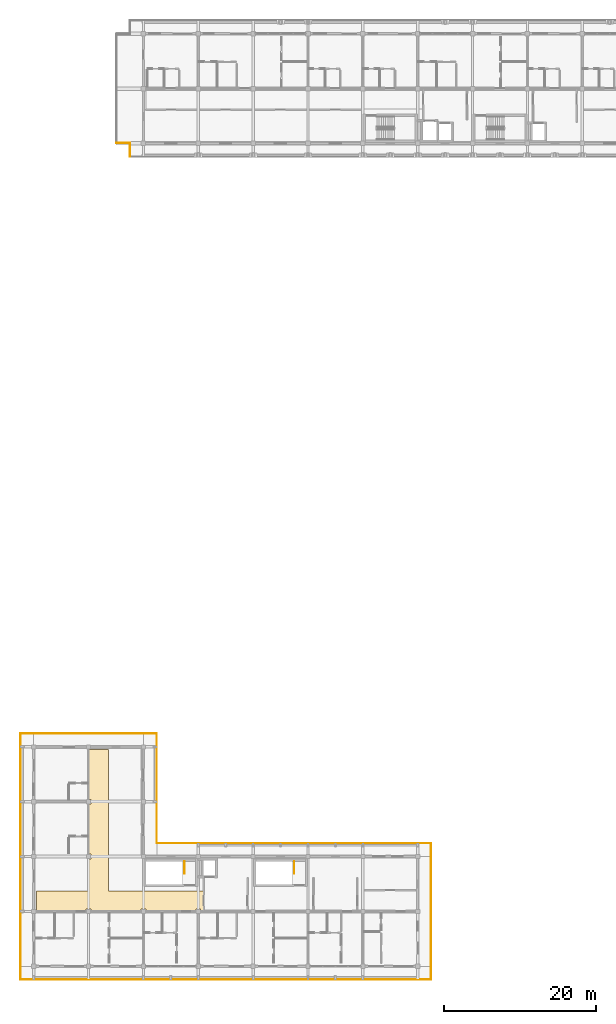
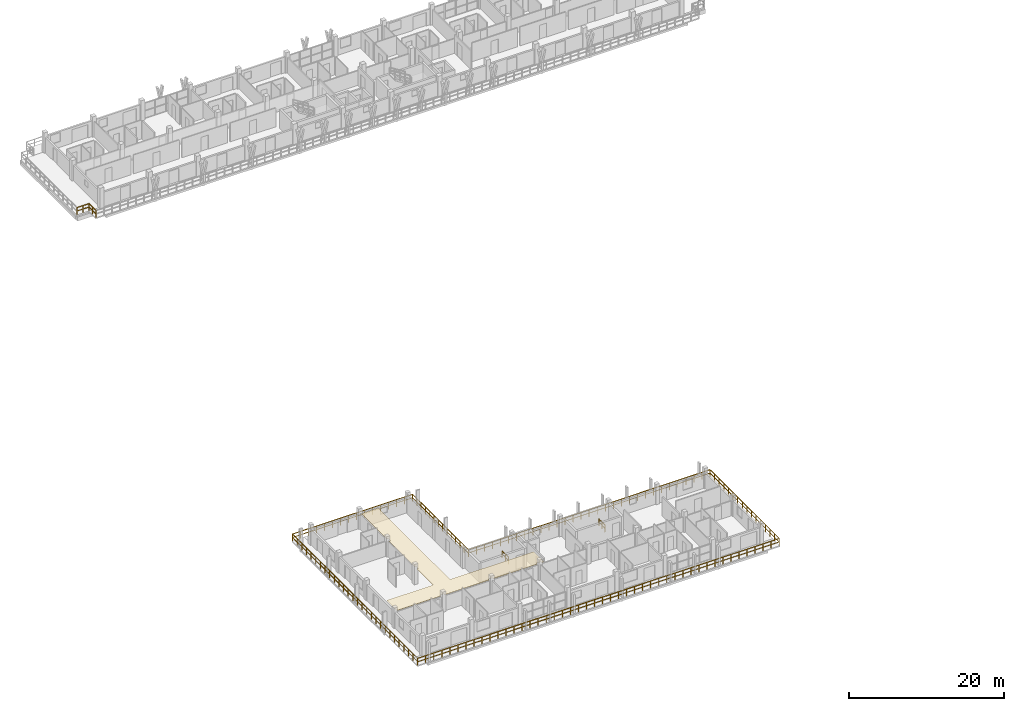
# One storey, part 54 of 65: 10 railings, 1 covering.
"""IFC4 building model written with IfcOpenShell, lengths in metres."""

import ifcopenshell
import ifcopenshell.guid

model = None  # the IFC model being written
_history = None  # IfcOwnerHistory: only IFC2X3 demands one
_inside = {}  # id of a spatial element -> (the spatial element, [elements in it])
_under = {}  # id of a project, library or spatial element -> (it, [spatial elements below it])
_declared = {}  # id of a project -> (the project, [libraries it declares])
_typed = {}  # id of a type object -> (the type object, [elements of that type])
_made_of = {}  # id of a material, layer set ... -> (it, [elements and type objects made of it])


def new_model(schema):
    """Start an empty IFC model of exactly this schema.

    Asked for "IFC4X3", IfcOpenShell would pick the latest addendum, in which some entities
    have other attributes; the version numbers below select the first issue.
    IFC2X3 requires an IfcOwnerHistory on every rooted entity: one is made here for all.
    """
    global model, _history
    if schema == "IFC4X3":
        model = ifcopenshell.file(schema_version=(4, 3, 0, 0))
    else:
        model = ifcopenshell.file(schema=schema)
    _inside.clear()
    _under.clear()
    _declared.clear()
    _typed.clear()
    _made_of.clear()
    _history = None
    if model.schema == "IFC2X3":
        org = make("IfcOrganization", Name="unknown")
        user = make(
            "IfcPersonAndOrganization",
            ThePerson=make("IfcPerson", FamilyName="unknown"),
            TheOrganization=org,
        )
        app = make(
            "IfcApplication",
            ApplicationDeveloper=org,
            Version="unknown",
            ApplicationFullName="unknown",
            ApplicationIdentifier="unknown",
        )
        _history = make(
            "IfcOwnerHistory",
            OwningUser=user,
            OwningApplication=app,
            ChangeAction="ADDED",
            CreationDate=0,
        )
    return model


def make(cls, **values):
    """One entity of the class cls with the attributes given. An attribute that is None is left unset."""
    return model.create_entity(
        cls, **{name: value for name, value in values.items() if value is not None}
    )


def rooted(cls, **values):
    """An entity with a GlobalId (a new one), such as an element, a storey or a relation."""
    return make(cls, GlobalId=ifcopenshell.guid.new(), OwnerHistory=_history, **values)


def si_unit(unit_type, name, prefix=None):
    """IfcSIUnit, for example si_unit("LENGTHUNIT", "METRE", prefix="MILLI")."""
    return make("IfcSIUnit", UnitType=unit_type, Prefix=prefix, Name=name)


def assignment(units):
    """IfcUnitAssignment: the units of a project."""
    return None if units is None else make("IfcUnitAssignment", Units=units)


def point(xyz):
    """IfcCartesianPoint."""
    return None if xyz is None else make("IfcCartesianPoint", Coordinates=xyz)


def direction(xyz):
    """IfcDirection."""
    return None if xyz is None else make("IfcDirection", DirectionRatios=xyz)


def frame(location, z_axis=None, x_axis=None):
    """IfcAxis2Placement3D, a coordinate frame: its origin and axes. An axis left out is left unset."""
    return make(
        "IfcAxis2Placement3D",
        Location=point(location),
        Axis=direction(z_axis),
        RefDirection=direction(x_axis),
    )


def frame_2d(location, x_axis=None):
    """IfcAxis2Placement2D, a coordinate frame in the plane: its origin and x axis."""
    return make(
        "IfcAxis2Placement2D", Location=point(location), RefDirection=direction(x_axis)
    )


def origin():
    """The frame at (0, 0, 0) with its axes left unset."""
    return frame((0.0, 0.0, 0.0))


def origin_2d():
    """The frame at (0, 0) in the plane with its x axis left unset."""
    return frame_2d((0.0, 0.0))


def place(relative_to, where):
    """IfcLocalPlacement: puts the frame where relative to a parent placement (None: the world)."""
    return make(
        "IfcLocalPlacement", PlacementRelTo=relative_to, RelativePlacement=where
    )


def context(
    kind, dimensions, precision=None, world=None, true_north=None, identifier=None
):
    """IfcGeometricRepresentationContext, for example the 3D "Model" context."""
    return make(
        "IfcGeometricRepresentationContext",
        ContextIdentifier=identifier,
        ContextType=kind,
        CoordinateSpaceDimension=dimensions,
        Precision=precision,
        WorldCoordinateSystem=world,
        TrueNorth=true_north,
    )


def subcontext(parent, identifier, kind, view, scale=None):
    """IfcGeometricRepresentationSubContext, for example "Body" below "Model"."""
    return make(
        "IfcGeometricRepresentationSubContext",
        ContextIdentifier=identifier,
        ContextType=kind,
        ParentContext=parent,
        TargetScale=scale,
        TargetView=view,
    )


def project(units=None, contexts=None):
    """IfcProject with its units and contexts."""
    return rooted(
        "IfcProject",
        Name="project",
        RepresentationContexts=contexts,
        UnitsInContext=assignment(units),
    )


def spatial(cls, under=None, at=None, **own):
    """A site, building, storey or space (cls), placed at a placement, below another one or the project."""
    s = rooted(cls, ObjectPlacement=at, **own)
    if under is not None:
        _under.setdefault(under.id(), (under, []))[1].append(s)
    return s


def polyline(points):
    """IfcPolyline through the points."""
    return make("IfcPolyline", Points=[point(p) for p in points])


def profile(cls, at=None, kind="AREA", **sizes):
    """A parametric profile (cls). Its sizes go by their IFC names, for example OverallWidth=200.0."""
    return make(cls, ProfileType=kind, Position=at, **sizes)


def rectangle(**sizes):
    """IfcRectangleProfileDef."""
    return profile("IfcRectangleProfileDef", **sizes)


def outline(outer, holes=None, kind="AREA"):
    """IfcArbitraryClosedProfileDef: a profile drawn as a closed curve; with holes, ...WithVoids."""
    if holes is None:
        return make("IfcArbitraryClosedProfileDef", ProfileType=kind, OuterCurve=outer)
    return make(
        "IfcArbitraryProfileDefWithVoids",
        ProfileType=kind,
        OuterCurve=outer,
        InnerCurves=holes,
    )


def extrude(swept, where, along, depth):
    """IfcExtrudedAreaSolid: the profile swept, set in the frame where, extruded along a direction by depth."""
    return make(
        "IfcExtrudedAreaSolid",
        SweptArea=swept,
        Position=where,
        ExtrudedDirection=direction(along),
        Depth=depth,
    )


def shape(context_of_items, identifier, shape_type, items):
    """IfcShapeRepresentation: the items that make up one representation, for example the "Body"."""
    return make(
        "IfcShapeRepresentation",
        ContextOfItems=context_of_items,
        RepresentationIdentifier=identifier,
        RepresentationType=shape_type,
        Items=items,
    )


def material(Name=None, Category=None):
    """IfcMaterial."""
    return make("IfcMaterial", Name=Name, Category=Category)


def layer(
    of_material, thickness, ventilated=None, Name=None, Category=None, Priority=None
):
    """IfcMaterialLayer: one layer of a wall or slab, of a material (None: an air gap)."""
    return make(
        "IfcMaterialLayer",
        Material=of_material,
        LayerThickness=thickness,
        IsVentilated=ventilated,
        Name=Name,
        Category=Category,
        Priority=Priority,
    )


def layer_set(layers, Name=None):
    """IfcMaterialLayerSet."""
    return make("IfcMaterialLayerSet", MaterialLayers=layers, LayerSetName=Name)


def made_of(thing, what):
    """Note that an element or type object is made of a material, layer set ...; save() writes the relation."""
    if what is not None:
        _made_of.setdefault(what.id(), (what, []))[1].append(thing)
    return thing


def type_object(cls, material=None, **own):
    """A type object (cls), such as IfcWallType, which elements share."""
    return made_of(rooted(cls, **own), material)


def element(
    cls,
    number,
    at=None,
    inside=None,
    cuts=None,
    type_object=None,
    material=None,
    context=None,
    identifier="Body",
    shape_type=None,
    held_by="IfcProductDefinitionShape",
    body=None,
    shapes=None,
    **own,
):
    """One element of the class cls, such as IfcWall. Its Tag is "e" and its number.

    at: its placement. inside: the storey or other place that contains it. cuts: it is an
    opening in that element (IfcRelVoidsElement). A single representation is given by context,
    identifier, shape_type and body (its items); several are given by shapes. held_by: the class
    of the entity that holds the representations. save() writes the other relations.
    """
    e = rooted(cls, Tag="e%d" % number, ObjectPlacement=at, **own)
    if body is not None:
        shapes = [shape(context, identifier, shape_type, body)]
    if shapes is not None:
        e.Representation = make(held_by, Representations=shapes)
    if inside is not None:
        _inside.setdefault(inside.id(), (inside, []))[1].append(e)
    if cuts is not None:
        rooted(
            "IfcRelVoidsElement", RelatingBuildingElement=cuts, RelatedOpeningElement=e
        )
    if type_object is not None:
        _typed.setdefault(type_object.id(), (type_object, []))[1].append(e)
    return made_of(e, material)


def aggregate(whole, parts):
    """IfcRelAggregates: a whole, such as a stair, and the parts it consists of."""
    return rooted("IfcRelAggregates", RelatingObject=whole, RelatedObjects=parts)


def save(model, path):
    """Write the relations noted so far, then the file.

    IfcRelAggregates (storeys below a building ...), IfcRelContainedInSpatialStructure (elements
    in a storey), IfcRelDefinesByType, IfcRelAssociatesMaterial and IfcRelDeclares: one each for
    every whole, place, type object, material and project.
    """
    for whole, parts in _under.values():
        aggregate(whole, parts)
    for where, things in _inside.values():
        rooted(
            "IfcRelContainedInSpatialStructure",
            RelatedElements=things,
            RelatingStructure=where,
        )
    for kind, things in _typed.values():
        rooted("IfcRelDefinesByType", RelatedObjects=things, RelatingType=kind)
    for what, things in _made_of.values():
        rooted("IfcRelAssociatesMaterial", RelatedObjects=things, RelatingMaterial=what)
    for by, libraries in _declared.values():
        rooted("IfcRelDeclares", RelatingContext=by, RelatedDefinitions=libraries)
    model.write(path)


model = new_model("IFC4")

# Units and contexts
model_context = context("Model", 3, precision=1e-05, world=origin(), true_north=direction((0.0, 1.0)))
body_context = subcontext(model_context, "Body", "Model", "MODEL_VIEW")
ifc_project = project(units=[si_unit("LENGTHUNIT", "METRE"), si_unit("AREAUNIT", "SQUARE_METRE"), si_unit("VOLUMEUNIT", "CUBIC_METRE"), si_unit("PLANEANGLEUNIT", "RADIAN"), si_unit("MASSUNIT", "GRAM", prefix="KILO")], contexts=[model_context])

# Site, building, storey
site_placement = place(None, origin())
site = spatial("IfcSite", under=ifc_project, at=site_placement, CompositionType="ELEMENT")
building_placement = place(site_placement, origin())
building = spatial("IfcBuilding", under=site, at=building_placement, Name="Suanplinth Sawtooth Commons", CompositionType="ELEMENT")
storey_placement = place(building_placement, frame((0.0, 0.0, 28.300048828125)))
storey = spatial("IfcBuildingStorey", under=building, at=storey_placement, Name="L08", CompositionType="ELEMENT", Elevation=28.300048828125)

# Covering
ifc_material_1 = material(Name="Mineral fibre acoustic tile")
ifc_layer = layer(ifc_material_1, 0.0400390625, Name="Perforated mineral-fibre acoustic suspended ceiling")
ifc_layer_set = layer_set([ifc_layer], Name="Mineral fibre acoustic tile")
covering_type = type_object("IfcCoveringType", Name="CV-CE01", PredefinedType="CEILING", material=ifc_layer_set)
covering_placement = place(storey_placement, frame((0.0, 0.0, 2.3798828125)))
element("IfcCovering", 1, at=covering_placement, inside=storey, type_object=covering_type, Name="L08 Block D Corridor Acoustic Ceiling", PredefinedType="CEILING", context=body_context, shape_type="SweptSolid", body=[
    extrude(outline(polyline([(0.360107421875, 9.89990234375), (7.280029296875, 9.89990234375), (7.280029296875, 14.094970703125), (7.5048828125, 14.094970703125), (7.5048828125, 14.705078125), (7.280029296875, 14.705078125), (7.280029296875, 21.294921875), (7.5048828125, 21.294921875), (7.5048828125, 21.905029296875), (7.280029296875, 21.905029296875), (7.280029296875, 28.43994140625), (9.800048828125, 28.43994140625), (9.800048828125, 9.89990234375), (22.280029296875, 9.89990234375), (22.280029296875, 7.280029296875), (21.905029296875, 7.280029296875), (21.905029296875, 7.5048828125), (21.294921875, 7.5048828125), (21.294921875, 7.280029296875), (14.705078125, 7.280029296875), (14.705078125, 7.5048828125), (14.094970703125, 7.5048828125), (14.094970703125, 7.280029296875), (7.5048828125, 7.280029296875), (7.5048828125, 7.5048828125), (6.89501953125, 7.5048828125), (6.89501953125, 7.280029296875), (0.360107421875, 7.280029296875), (0.360107421875, 9.89990234375)])), origin(), (0.0, 0.0, 1.0), 0.0400390625),
])

# Railings
ifc_material_2 = material(Name="Powder-coated galvanized steel", Category="steel")
railing_type_1 = type_object("IfcRailingType", Name="GR-01", PredefinedType="BALUSTRADE", material=ifc_material_2)
railing_1_placement = place(storey_placement, frame((12.659912109375, 108.06005859375, 0.0)))
element("IfcRailing", 2, at=railing_1_placement, inside=storey, type_object=railing_type_1, Name="L08 Block A Perimeter Balustrade 1", PredefinedType="BALUSTRADE", context=body_context, shape_type="SweptSolid", body=[
    extrude(rectangle(XDim=0.048095703125, YDim=0.048095703125, at=origin_2d()), frame((0.0, 0.0, 1.09619140625), z_axis=(-1.0, 0.0, 0.0), x_axis=(0.0, -1.0, 0.0)), (0.0, 0.0, 1.0), 1.7998046875),
    extrude(rectangle(XDim=0.03369140625, YDim=0.03369140625, at=origin_2d()), frame((0.0, 0.0, 0.56005859375), z_axis=(-1.0, 0.0, 0.0), x_axis=(0.0, -1.0, 0.0)), (0.0, 0.0, 1.0), 1.7998046875),
    extrude(rectangle(XDim=0.0419921875, YDim=0.0419921875, at=origin_2d()), origin(), (0.0, 0.0, 1.0), 1.072021484375),
    extrude(rectangle(XDim=0.0419921875, YDim=0.0419921875, at=origin_2d()), frame((-0.89990234375, 0.0, 0.0)), (0.0, 0.0, 1.0), 1.072021484375),
    extrude(rectangle(XDim=0.0419921875, YDim=0.0419921875, at=origin_2d()), frame((-1.7998046875, 0.0, 0.0)), (0.0, 0.0, 1.0), 1.072021484375),
])
railing_2_placement = place(storey_placement, frame((12.659912109375, 106.260009765625, 0.0)))
element("IfcRailing", 3, at=railing_2_placement, inside=storey, type_object=railing_type_1, Name="L08 Block A Perimeter Balustrade 12", PredefinedType="BALUSTRADE", context=body_context, shape_type="SweptSolid", body=[
    extrude(rectangle(XDim=0.048095703125, YDim=0.048095703125, at=origin_2d()), frame((0.0, 0.0, 1.09619140625), z_axis=(0.0, 1.0, 0.0), x_axis=(-1.0, 0.0, 0.0)), (0.0, 0.0, 1.0), 1.800048828125),
    extrude(rectangle(XDim=0.03369140625, YDim=0.03369140625, at=origin_2d()), frame((0.0, 0.0, 0.56005859375), z_axis=(0.0, 1.0, 0.0), x_axis=(-1.0, 0.0, 0.0)), (0.0, 0.0, 1.0), 1.800048828125),
    extrude(rectangle(XDim=0.0419921875, YDim=0.0419921875, at=origin_2d()), origin(), (0.0, 0.0, 1.0), 1.072021484375),
    extrude(rectangle(XDim=0.0419921875, YDim=0.0419921875, at=origin_2d()), frame((0.0, 0.89990234375, 0.0)), (0.0, 0.0, 1.0), 1.072021484375),
    extrude(rectangle(XDim=0.0419921875, YDim=0.0419921875, at=origin_2d()), frame((0.0, 1.800048828125, 0.0)), (0.0, 0.0, 1.0), 1.072021484375),
])
railing_3_placement = place(storey_placement, frame((-1.739990234375, -1.739990234375, 0.0)))
element("IfcRailing", 4, at=railing_3_placement, inside=storey, type_object=railing_type_1, Name="L08 Block D Perimeter Balustrade 1", PredefinedType="BALUSTRADE", context=body_context, shape_type="SweptSolid", body=[
    extrude(rectangle(XDim=0.048095703125, YDim=0.048095703125, at=origin_2d()), frame((0.0, 0.0, 1.09619140625), z_axis=(0.0, 1.0, 0.0), x_axis=(-1.0, 0.0, 0.0)), (0.0, 0.0, 1.0), 32.280029296875),
    extrude(rectangle(XDim=0.03369140625, YDim=0.03369140625, at=origin_2d()), frame((0.0, 0.0, 0.56005859375), z_axis=(0.0, 1.0, 0.0), x_axis=(-1.0, 0.0, 0.0)), (0.0, 0.0, 1.0), 32.280029296875),
    extrude(rectangle(XDim=0.0419921875, YDim=0.0419921875, at=origin_2d()), origin(), (0.0, 0.0, 1.0), 1.072021484375),
    extrude(rectangle(XDim=0.0419921875, YDim=0.0419921875, at=origin_2d()), frame((0.0, 1.195556640625, 0.0)), (0.0, 0.0, 1.0), 1.072021484375),
    extrude(rectangle(XDim=0.0419921875, YDim=0.0419921875, at=origin_2d()), frame((0.0, 2.39111328125, 0.0)), (0.0, 0.0, 1.0), 1.072021484375),
    extrude(rectangle(XDim=0.0419921875, YDim=0.0419921875, at=origin_2d()), frame((0.0, 3.586669921875, 0.0)), (0.0, 0.0, 1.0), 1.072021484375),
    extrude(rectangle(XDim=0.0419921875, YDim=0.0419921875, at=origin_2d()), frame((0.0, 4.7822265625, 0.0)), (0.0, 0.0, 1.0), 1.072021484375),
    extrude(rectangle(XDim=0.0419921875, YDim=0.0419921875, at=origin_2d()), frame((0.0, 5.977783203125, 0.0)), (0.0, 0.0, 1.0), 1.072021484375),
    extrude(rectangle(XDim=0.0419921875, YDim=0.0419921875, at=origin_2d()), frame((0.0, 7.17333984375, 0.0)), (0.0, 0.0, 1.0), 1.072021484375),
    extrude(rectangle(XDim=0.0419921875, YDim=0.0419921875, at=origin_2d()), frame((0.0, 8.368896484375, 0.0)), (0.0, 0.0, 1.0), 1.072021484375),
    extrude(rectangle(XDim=0.0419921875, YDim=0.0419921875, at=origin_2d()), frame((0.0, 9.564453125, 0.0)), (0.0, 0.0, 1.0), 1.072021484375),
    extrude(rectangle(XDim=0.0419921875, YDim=0.0419921875, at=origin_2d()), frame((0.0, 10.760009765625, 0.0)), (0.0, 0.0, 1.0), 1.072021484375),
    extrude(rectangle(XDim=0.0419921875, YDim=0.0419921875, at=origin_2d()), frame((0.0, 11.95556640625, 0.0)), (0.0, 0.0, 1.0), 1.072021484375),
    extrude(rectangle(XDim=0.0419921875, YDim=0.0419921875, at=origin_2d()), frame((0.0, 13.151123046875, 0.0)), (0.0, 0.0, 1.0), 1.072021484375),
    extrude(rectangle(XDim=0.0419921875, YDim=0.0419921875, at=origin_2d()), frame((0.0, 14.3466796875, 0.0)), (0.0, 0.0, 1.0), 1.072021484375),
    extrude(rectangle(XDim=0.0419921875, YDim=0.0419921875, at=origin_2d()), frame((0.0, 15.542236328125, 0.0)), (0.0, 0.0, 1.0), 1.072021484375),
    extrude(rectangle(XDim=0.0419921875, YDim=0.0419921875, at=origin_2d()), frame((0.0, 16.73779296875, 0.0)), (0.0, 0.0, 1.0), 1.072021484375),
    extrude(rectangle(XDim=0.0419921875, YDim=0.0419921875, at=origin_2d()), frame((0.0, 17.933349609375, 0.0)), (0.0, 0.0, 1.0), 1.072021484375),
    extrude(rectangle(XDim=0.0419921875, YDim=0.0419921875, at=origin_2d()), frame((0.0, 19.12890625, 0.0)), (0.0, 0.0, 1.0), 1.072021484375),
    extrude(rectangle(XDim=0.0419921875, YDim=0.0419921875, at=origin_2d()), frame((0.0, 20.324462890625, 0.0)), (0.0, 0.0, 1.0), 1.072021484375),
    extrude(rectangle(XDim=0.0419921875, YDim=0.0419921875, at=origin_2d()), frame((0.0, 21.52001953125, 0.0)), (0.0, 0.0, 1.0), 1.072021484375),
    extrude(rectangle(XDim=0.0419921875, YDim=0.0419921875, at=origin_2d()), frame((0.0, 22.715576171875, 0.0)), (0.0, 0.0, 1.0), 1.072021484375),
    extrude(rectangle(XDim=0.0419921875, YDim=0.0419921875, at=origin_2d()), frame((0.0, 23.9111328125, 0.0)), (0.0, 0.0, 1.0), 1.072021484375),
    extrude(rectangle(XDim=0.0419921875, YDim=0.0419921875, at=origin_2d()), frame((0.0, 25.106689453125, 0.0)), (0.0, 0.0, 1.0), 1.072021484375),
    extrude(rectangle(XDim=0.0419921875, YDim=0.0419921875, at=origin_2d()), frame((0.0, 26.30224609375, 0.0)), (0.0, 0.0, 1.0), 1.072021484375),
    extrude(rectangle(XDim=0.0419921875, YDim=0.0419921875, at=origin_2d()), frame((0.0, 27.497802734375, 0.0)), (0.0, 0.0, 1.0), 1.072021484375),
    extrude(rectangle(XDim=0.0419921875, YDim=0.0419921875, at=origin_2d()), frame((0.0, 28.693359375, 0.0)), (0.0, 0.0, 1.0), 1.072021484375),
    extrude(rectangle(XDim=0.0419921875, YDim=0.0419921875, at=origin_2d()), frame((0.0, 29.888916015625, 0.0)), (0.0, 0.0, 1.0), 1.072021484375),
    extrude(rectangle(XDim=0.0419921875, YDim=0.0419921875, at=origin_2d()), frame((0.0, 31.08447265625, 0.0)), (0.0, 0.0, 1.0), 1.072021484375),
    extrude(rectangle(XDim=0.0419921875, YDim=0.0419921875, at=origin_2d()), frame((0.0, 32.280029296875, 0.0)), (0.0, 0.0, 1.0), 1.072021484375),
])
railing_4_placement = place(storey_placement, frame((-1.739990234375, 30.5400390625, 0.0)))
element("IfcRailing", 5, at=railing_4_placement, inside=storey, type_object=railing_type_1, Name="L08 Block D Perimeter Balustrade 2", PredefinedType="BALUSTRADE", context=body_context, shape_type="SweptSolid", body=[
    extrude(rectangle(XDim=0.048095703125, YDim=0.048095703125, at=origin_2d()), frame((0.0, 0.0, 1.09619140625), z_axis=(1.0, 0.0, 0.0), x_axis=(0.0, 1.0, 0.0)), (0.0, 0.0, 1.0), 17.8798828125),
    extrude(rectangle(XDim=0.03369140625, YDim=0.03369140625, at=origin_2d()), frame((0.0, 0.0, 0.56005859375), z_axis=(1.0, 0.0, 0.0), x_axis=(0.0, 1.0, 0.0)), (0.0, 0.0, 1.0), 17.8798828125),
    extrude(rectangle(XDim=0.0419921875, YDim=0.0419921875, at=origin_2d()), origin(), (0.0, 0.0, 1.0), 1.072021484375),
    extrude(rectangle(XDim=0.0419921875, YDim=0.0419921875, at=origin_2d()), frame((1.19189453125, 0.0, 0.0)), (0.0, 0.0, 1.0), 1.072021484375),
    extrude(rectangle(XDim=0.0419921875, YDim=0.0419921875, at=origin_2d()), frame((2.384033203125, 0.0, 0.0)), (0.0, 0.0, 1.0), 1.072021484375),
    extrude(rectangle(XDim=0.0419921875, YDim=0.0419921875, at=origin_2d()), frame((3.575927734375, 0.0, 0.0)), (0.0, 0.0, 1.0), 1.072021484375),
    extrude(rectangle(XDim=0.0419921875, YDim=0.0419921875, at=origin_2d()), frame((4.76806640625, 0.0, 0.0)), (0.0, 0.0, 1.0), 1.072021484375),
    extrude(rectangle(XDim=0.0419921875, YDim=0.0419921875, at=origin_2d()), frame((5.9599609375, 0.0, 0.0)), (0.0, 0.0, 1.0), 1.072021484375),
    extrude(rectangle(XDim=0.0419921875, YDim=0.0419921875, at=origin_2d()), frame((7.15185546875, 0.0, 0.0)), (0.0, 0.0, 1.0), 1.072021484375),
    extrude(rectangle(XDim=0.0419921875, YDim=0.0419921875, at=origin_2d()), frame((8.343994140625, 0.0, 0.0)), (0.0, 0.0, 1.0), 1.072021484375),
    extrude(rectangle(XDim=0.0419921875, YDim=0.0419921875, at=origin_2d()), frame((9.535888671875, 0.0, 0.0)), (0.0, 0.0, 1.0), 1.072021484375),
    extrude(rectangle(XDim=0.0419921875, YDim=0.0419921875, at=origin_2d()), frame((10.72802734375, 0.0, 0.0)), (0.0, 0.0, 1.0), 1.072021484375),
    extrude(rectangle(XDim=0.0419921875, YDim=0.0419921875, at=origin_2d()), frame((11.919921875, 0.0, 0.0)), (0.0, 0.0, 1.0), 1.072021484375),
    extrude(rectangle(XDim=0.0419921875, YDim=0.0419921875, at=origin_2d()), frame((13.11181640625, 0.0, 0.0)), (0.0, 0.0, 1.0), 1.072021484375),
    extrude(rectangle(XDim=0.0419921875, YDim=0.0419921875, at=origin_2d()), frame((14.303955078125, 0.0, 0.0)), (0.0, 0.0, 1.0), 1.072021484375),
    extrude(rectangle(XDim=0.0419921875, YDim=0.0419921875, at=origin_2d()), frame((15.495849609375, 0.0, 0.0)), (0.0, 0.0, 1.0), 1.072021484375),
    extrude(rectangle(XDim=0.0419921875, YDim=0.0419921875, at=origin_2d()), frame((16.68798828125, 0.0, 0.0)), (0.0, 0.0, 1.0), 1.072021484375),
    extrude(rectangle(XDim=0.0419921875, YDim=0.0419921875, at=origin_2d()), frame((17.8798828125, 0.0, 0.0)), (0.0, 0.0, 1.0), 1.072021484375),
])
railing_5_placement = place(storey_placement, frame((16.139892578125, 30.5400390625, 0.0)))
element("IfcRailing", 6, at=railing_5_placement, inside=storey, type_object=railing_type_1, Name="L08 Block D Perimeter Balustrade 3", PredefinedType="BALUSTRADE", context=body_context, shape_type="SweptSolid", body=[
    extrude(rectangle(XDim=0.048095703125, YDim=0.048095703125, at=origin_2d()), frame((0.0, 0.0, 1.09619140625), z_axis=(0.0, -1.0, 0.0), x_axis=(1.0, 0.0, 0.0)), (0.0, 0.0, 1.0), 14.400146484375),
    extrude(rectangle(XDim=0.03369140625, YDim=0.03369140625, at=origin_2d()), frame((0.0, 0.0, 0.56005859375), z_axis=(0.0, -1.0, 0.0), x_axis=(1.0, 0.0, 0.0)), (0.0, 0.0, 1.0), 14.400146484375),
    extrude(rectangle(XDim=0.0419921875, YDim=0.0419921875, at=origin_2d()), origin(), (0.0, 0.0, 1.0), 1.072021484375),
    extrude(rectangle(XDim=0.0419921875, YDim=0.0419921875, at=origin_2d()), frame((0.0, -1.107666015625, 0.0)), (0.0, 0.0, 1.0), 1.072021484375),
    extrude(rectangle(XDim=0.0419921875, YDim=0.0419921875, at=origin_2d()), frame((0.0, -2.21533203125, 0.0)), (0.0, 0.0, 1.0), 1.072021484375),
    extrude(rectangle(XDim=0.0419921875, YDim=0.0419921875, at=origin_2d()), frame((0.0, -3.322998046875, 0.0)), (0.0, 0.0, 1.0), 1.072021484375),
    extrude(rectangle(XDim=0.0419921875, YDim=0.0419921875, at=origin_2d()), frame((0.0, -4.430908203125, 0.0)), (0.0, 0.0, 1.0), 1.072021484375),
    extrude(rectangle(XDim=0.0419921875, YDim=0.0419921875, at=origin_2d()), frame((0.0, -5.53857421875, 0.0)), (0.0, 0.0, 1.0), 1.072021484375),
    extrude(rectangle(XDim=0.0419921875, YDim=0.0419921875, at=origin_2d()), frame((0.0, -6.646240234375, 0.0)), (0.0, 0.0, 1.0), 1.072021484375),
    extrude(rectangle(XDim=0.0419921875, YDim=0.0419921875, at=origin_2d()), frame((0.0, -7.75390625, 0.0)), (0.0, 0.0, 1.0), 1.072021484375),
    extrude(rectangle(XDim=0.0419921875, YDim=0.0419921875, at=origin_2d()), frame((0.0, -8.861572265625, 0.0)), (0.0, 0.0, 1.0), 1.072021484375),
    extrude(rectangle(XDim=0.0419921875, YDim=0.0419921875, at=origin_2d()), frame((0.0, -9.96923828125, 0.0)), (0.0, 0.0, 1.0), 1.072021484375),
    extrude(rectangle(XDim=0.0419921875, YDim=0.0419921875, at=origin_2d()), frame((0.0, -11.0771484375, 0.0)), (0.0, 0.0, 1.0), 1.072021484375),
    extrude(rectangle(XDim=0.0419921875, YDim=0.0419921875, at=origin_2d()), frame((0.0, -12.184814453125, 0.0)), (0.0, 0.0, 1.0), 1.072021484375),
    extrude(rectangle(XDim=0.0419921875, YDim=0.0419921875, at=origin_2d()), frame((0.0, -13.29248046875, 0.0)), (0.0, 0.0, 1.0), 1.072021484375),
    extrude(rectangle(XDim=0.0419921875, YDim=0.0419921875, at=origin_2d()), frame((0.0, -14.400146484375, 0.0)), (0.0, 0.0, 1.0), 1.072021484375),
])
railing_6_placement = place(storey_placement, frame((16.139892578125, 16.139892578125, 0.0)))
element("IfcRailing", 7, at=railing_6_placement, inside=storey, type_object=railing_type_1, Name="L08 Block D Perimeter Balustrade 4", PredefinedType="BALUSTRADE", context=body_context, shape_type="SweptSolid", body=[
    extrude(rectangle(XDim=0.048095703125, YDim=0.048095703125, at=origin_2d()), frame((0.0, 0.0, 1.09619140625), z_axis=(1.0, 0.0, 0.0), x_axis=(0.0, 1.0, 0.0)), (0.0, 0.0, 1.0), 36.0),
    extrude(rectangle(XDim=0.03369140625, YDim=0.03369140625, at=origin_2d()), frame((0.0, 0.0, 0.56005859375), z_axis=(1.0, 0.0, 0.0), x_axis=(0.0, 1.0, 0.0)), (0.0, 0.0, 1.0), 36.0),
    extrude(rectangle(XDim=0.0419921875, YDim=0.0419921875, at=origin_2d()), origin(), (0.0, 0.0, 1.0), 1.072021484375),
    extrude(rectangle(XDim=0.0419921875, YDim=0.0419921875, at=origin_2d()), frame((1.199951171875, 0.0, 0.0)), (0.0, 0.0, 1.0), 1.072021484375),
    extrude(rectangle(XDim=0.0419921875, YDim=0.0419921875, at=origin_2d()), frame((2.39990234375, 0.0, 0.0)), (0.0, 0.0, 1.0), 1.072021484375),
    extrude(rectangle(XDim=0.0419921875, YDim=0.0419921875, at=origin_2d()), frame((3.60009765625, 0.0, 0.0)), (0.0, 0.0, 1.0), 1.072021484375),
    extrude(rectangle(XDim=0.0419921875, YDim=0.0419921875, at=origin_2d()), frame((4.800048828125, 0.0, 0.0)), (0.0, 0.0, 1.0), 1.072021484375),
    extrude(rectangle(XDim=0.0419921875, YDim=0.0419921875, at=origin_2d()), frame((6.0, 0.0, 0.0)), (0.0, 0.0, 1.0), 1.072021484375),
    extrude(rectangle(XDim=0.0419921875, YDim=0.0419921875, at=origin_2d()), frame((7.199951171875, 0.0, 0.0)), (0.0, 0.0, 1.0), 1.072021484375),
    extrude(rectangle(XDim=0.0419921875, YDim=0.0419921875, at=origin_2d()), frame((8.39990234375, 0.0, 0.0)), (0.0, 0.0, 1.0), 1.072021484375),
    extrude(rectangle(XDim=0.0419921875, YDim=0.0419921875, at=origin_2d()), frame((9.60009765625, 0.0, 0.0)), (0.0, 0.0, 1.0), 1.072021484375),
    extrude(rectangle(XDim=0.0419921875, YDim=0.0419921875, at=origin_2d()), frame((10.800048828125, 0.0, 0.0)), (0.0, 0.0, 1.0), 1.072021484375),
    extrude(rectangle(XDim=0.0419921875, YDim=0.0419921875, at=origin_2d()), frame((12.0, 0.0, 0.0)), (0.0, 0.0, 1.0), 1.072021484375),
    extrude(rectangle(XDim=0.0419921875, YDim=0.0419921875, at=origin_2d()), frame((13.199951171875, 0.0, 0.0)), (0.0, 0.0, 1.0), 1.072021484375),
    extrude(rectangle(XDim=0.0419921875, YDim=0.0419921875, at=origin_2d()), frame((14.39990234375, 0.0, 0.0)), (0.0, 0.0, 1.0), 1.072021484375),
    extrude(rectangle(XDim=0.0419921875, YDim=0.0419921875, at=origin_2d()), frame((15.60009765625, 0.0, 0.0)), (0.0, 0.0, 1.0), 1.072021484375),
    extrude(rectangle(XDim=0.0419921875, YDim=0.0419921875, at=origin_2d()), frame((16.800048828125, 0.0, 0.0)), (0.0, 0.0, 1.0), 1.072021484375),
    extrude(rectangle(XDim=0.0419921875, YDim=0.0419921875, at=origin_2d()), frame((18.0, 0.0, 0.0)), (0.0, 0.0, 1.0), 1.072021484375),
    extrude(rectangle(XDim=0.0419921875, YDim=0.0419921875, at=origin_2d()), frame((19.199951171875, 0.0, 0.0)), (0.0, 0.0, 1.0), 1.072021484375),
    extrude(rectangle(XDim=0.0419921875, YDim=0.0419921875, at=origin_2d()), frame((20.39990234375, 0.0, 0.0)), (0.0, 0.0, 1.0), 1.072021484375),
    extrude(rectangle(XDim=0.0419921875, YDim=0.0419921875, at=origin_2d()), frame((21.60009765625, 0.0, 0.0)), (0.0, 0.0, 1.0), 1.072021484375),
    extrude(rectangle(XDim=0.0419921875, YDim=0.0419921875, at=origin_2d()), frame((22.800048828125, 0.0, 0.0)), (0.0, 0.0, 1.0), 1.072021484375),
    extrude(rectangle(XDim=0.0419921875, YDim=0.0419921875, at=origin_2d()), frame((24.0, 0.0, 0.0)), (0.0, 0.0, 1.0), 1.072021484375),
    extrude(rectangle(XDim=0.0419921875, YDim=0.0419921875, at=origin_2d()), frame((25.199951171875, 0.0, 0.0)), (0.0, 0.0, 1.0), 1.072021484375),
    extrude(rectangle(XDim=0.0419921875, YDim=0.0419921875, at=origin_2d()), frame((26.39990234375, 0.0, 0.0)), (0.0, 0.0, 1.0), 1.072021484375),
    extrude(rectangle(XDim=0.0419921875, YDim=0.0419921875, at=origin_2d()), frame((27.60009765625, 0.0, 0.0)), (0.0, 0.0, 1.0), 1.072021484375),
    extrude(rectangle(XDim=0.0419921875, YDim=0.0419921875, at=origin_2d()), frame((28.800048828125, 0.0, 0.0)), (0.0, 0.0, 1.0), 1.072021484375),
    extrude(rectangle(XDim=0.0419921875, YDim=0.0419921875, at=origin_2d()), frame((30.0, 0.0, 0.0)), (0.0, 0.0, 1.0), 1.072021484375),
    extrude(rectangle(XDim=0.0419921875, YDim=0.0419921875, at=origin_2d()), frame((31.199951171875, 0.0, 0.0)), (0.0, 0.0, 1.0), 1.072021484375),
    extrude(rectangle(XDim=0.0419921875, YDim=0.0419921875, at=origin_2d()), frame((32.39990234375, 0.0, 0.0)), (0.0, 0.0, 1.0), 1.072021484375),
    extrude(rectangle(XDim=0.0419921875, YDim=0.0419921875, at=origin_2d()), frame((33.60009765625, 0.0, 0.0)), (0.0, 0.0, 1.0), 1.072021484375),
    extrude(rectangle(XDim=0.0419921875, YDim=0.0419921875, at=origin_2d()), frame((34.800048828125, 0.0, 0.0)), (0.0, 0.0, 1.0), 1.072021484375),
    extrude(rectangle(XDim=0.0419921875, YDim=0.0419921875, at=origin_2d()), frame((36.0, 0.0, 0.0)), (0.0, 0.0, 1.0), 1.072021484375),
])
railing_7_placement = place(storey_placement, frame((52.139892578125, 16.139892578125, 0.0)))
element("IfcRailing", 8, at=railing_7_placement, inside=storey, type_object=railing_type_1, Name="L08 Block D Perimeter Balustrade 5", PredefinedType="BALUSTRADE", context=body_context, shape_type="SweptSolid", body=[
    extrude(rectangle(XDim=0.048095703125, YDim=0.048095703125, at=origin_2d()), frame((0.0, 0.0, 1.09619140625), z_axis=(0.0, -1.0, 0.0), x_axis=(1.0, 0.0, 0.0)), (0.0, 0.0, 1.0), 17.8798828125),
    extrude(rectangle(XDim=0.03369140625, YDim=0.03369140625, at=origin_2d()), frame((0.0, 0.0, 0.56005859375), z_axis=(0.0, -1.0, 0.0), x_axis=(1.0, 0.0, 0.0)), (0.0, 0.0, 1.0), 17.8798828125),
    extrude(rectangle(XDim=0.0419921875, YDim=0.0419921875, at=origin_2d()), origin(), (0.0, 0.0, 1.0), 1.072021484375),
    extrude(rectangle(XDim=0.0419921875, YDim=0.0419921875, at=origin_2d()), frame((0.0, -1.19189453125, 0.0)), (0.0, 0.0, 1.0), 1.072021484375),
    extrude(rectangle(XDim=0.0419921875, YDim=0.0419921875, at=origin_2d()), frame((0.0, -2.384033203125, 0.0)), (0.0, 0.0, 1.0), 1.072021484375),
    extrude(rectangle(XDim=0.0419921875, YDim=0.0419921875, at=origin_2d()), frame((0.0, -3.575927734375, 0.0)), (0.0, 0.0, 1.0), 1.072021484375),
    extrude(rectangle(XDim=0.0419921875, YDim=0.0419921875, at=origin_2d()), frame((0.0, -4.76806640625, 0.0)), (0.0, 0.0, 1.0), 1.072021484375),
    extrude(rectangle(XDim=0.0419921875, YDim=0.0419921875, at=origin_2d()), frame((0.0, -5.9599609375, 0.0)), (0.0, 0.0, 1.0), 1.072021484375),
    extrude(rectangle(XDim=0.0419921875, YDim=0.0419921875, at=origin_2d()), frame((0.0, -7.15185546875, 0.0)), (0.0, 0.0, 1.0), 1.072021484375),
    extrude(rectangle(XDim=0.0419921875, YDim=0.0419921875, at=origin_2d()), frame((0.0, -8.343994140625, 0.0)), (0.0, 0.0, 1.0), 1.072021484375),
    extrude(rectangle(XDim=0.0419921875, YDim=0.0419921875, at=origin_2d()), frame((0.0, -9.535888671875, 0.0)), (0.0, 0.0, 1.0), 1.072021484375),
    extrude(rectangle(XDim=0.0419921875, YDim=0.0419921875, at=origin_2d()), frame((0.0, -10.72802734375, 0.0)), (0.0, 0.0, 1.0), 1.072021484375),
    extrude(rectangle(XDim=0.0419921875, YDim=0.0419921875, at=origin_2d()), frame((0.0, -11.919921875, 0.0)), (0.0, 0.0, 1.0), 1.072021484375),
    extrude(rectangle(XDim=0.0419921875, YDim=0.0419921875, at=origin_2d()), frame((0.0, -13.11181640625, 0.0)), (0.0, 0.0, 1.0), 1.072021484375),
    extrude(rectangle(XDim=0.0419921875, YDim=0.0419921875, at=origin_2d()), frame((0.0, -14.303955078125, 0.0)), (0.0, 0.0, 1.0), 1.072021484375),
    extrude(rectangle(XDim=0.0419921875, YDim=0.0419921875, at=origin_2d()), frame((0.0, -15.495849609375, 0.0)), (0.0, 0.0, 1.0), 1.072021484375),
    extrude(rectangle(XDim=0.0419921875, YDim=0.0419921875, at=origin_2d()), frame((0.0, -16.68798828125, 0.0)), (0.0, 0.0, 1.0), 1.072021484375),
    extrude(rectangle(XDim=0.0419921875, YDim=0.0419921875, at=origin_2d()), frame((0.0, -17.8798828125, 0.0)), (0.0, 0.0, 1.0), 1.072021484375),
])
railing_8_placement = place(storey_placement, frame((52.139892578125, -1.739990234375, 0.0)))
element("IfcRailing", 9, at=railing_8_placement, inside=storey, type_object=railing_type_1, Name="L08 Block D Perimeter Balustrade 6", PredefinedType="BALUSTRADE", context=body_context, shape_type="SweptSolid", body=[
    extrude(rectangle(XDim=0.048095703125, YDim=0.048095703125, at=origin_2d()), frame((0.0, 0.0, 1.09619140625), z_axis=(-1.0, 0.0, 0.0), x_axis=(0.0, -1.0, 0.0)), (0.0, 0.0, 1.0), 53.8798828125),
    extrude(rectangle(XDim=0.03369140625, YDim=0.03369140625, at=origin_2d()), frame((0.0, 0.0, 0.56005859375), z_axis=(-1.0, 0.0, 0.0), x_axis=(0.0, -1.0, 0.0)), (0.0, 0.0, 1.0), 53.8798828125),
    extrude(rectangle(XDim=0.0419921875, YDim=0.0419921875, at=origin_2d()), origin(), (0.0, 0.0, 1.0), 1.072021484375),
    extrude(rectangle(XDim=0.0419921875, YDim=0.0419921875, at=origin_2d()), frame((-1.197265625, 0.0, 0.0)), (0.0, 0.0, 1.0), 1.072021484375),
    extrude(rectangle(XDim=0.0419921875, YDim=0.0419921875, at=origin_2d()), frame((-2.394775390625, 0.0, 0.0)), (0.0, 0.0, 1.0), 1.072021484375),
    extrude(rectangle(XDim=0.0419921875, YDim=0.0419921875, at=origin_2d()), frame((-3.592041015625, 0.0, 0.0)), (0.0, 0.0, 1.0), 1.072021484375),
    extrude(rectangle(XDim=0.0419921875, YDim=0.0419921875, at=origin_2d()), frame((-4.789306640625, 0.0, 0.0)), (0.0, 0.0, 1.0), 1.072021484375),
    extrude(rectangle(XDim=0.0419921875, YDim=0.0419921875, at=origin_2d()), frame((-5.986572265625, 0.0, 0.0)), (0.0, 0.0, 1.0), 1.072021484375),
    extrude(rectangle(XDim=0.0419921875, YDim=0.0419921875, at=origin_2d()), frame((-7.18408203125, 0.0, 0.0)), (0.0, 0.0, 1.0), 1.072021484375),
    extrude(rectangle(XDim=0.0419921875, YDim=0.0419921875, at=origin_2d()), frame((-8.38134765625, 0.0, 0.0)), (0.0, 0.0, 1.0), 1.072021484375),
    extrude(rectangle(XDim=0.0419921875, YDim=0.0419921875, at=origin_2d()), frame((-9.57861328125, 0.0, 0.0)), (0.0, 0.0, 1.0), 1.072021484375),
    extrude(rectangle(XDim=0.0419921875, YDim=0.0419921875, at=origin_2d()), frame((-10.77587890625, 0.0, 0.0)), (0.0, 0.0, 1.0), 1.072021484375),
    extrude(rectangle(XDim=0.0419921875, YDim=0.0419921875, at=origin_2d()), frame((-11.973388671875, 0.0, 0.0)), (0.0, 0.0, 1.0), 1.072021484375),
    extrude(rectangle(XDim=0.0419921875, YDim=0.0419921875, at=origin_2d()), frame((-13.170654296875, 0.0, 0.0)), (0.0, 0.0, 1.0), 1.072021484375),
    extrude(rectangle(XDim=0.0419921875, YDim=0.0419921875, at=origin_2d()), frame((-14.367919921875, 0.0, 0.0)), (0.0, 0.0, 1.0), 1.072021484375),
    extrude(rectangle(XDim=0.0419921875, YDim=0.0419921875, at=origin_2d()), frame((-15.565185546875, 0.0, 0.0)), (0.0, 0.0, 1.0), 1.072021484375),
    extrude(rectangle(XDim=0.0419921875, YDim=0.0419921875, at=origin_2d()), frame((-16.7626953125, 0.0, 0.0)), (0.0, 0.0, 1.0), 1.072021484375),
    extrude(rectangle(XDim=0.0419921875, YDim=0.0419921875, at=origin_2d()), frame((-17.9599609375, 0.0, 0.0)), (0.0, 0.0, 1.0), 1.072021484375),
    extrude(rectangle(XDim=0.0419921875, YDim=0.0419921875, at=origin_2d()), frame((-19.1572265625, 0.0, 0.0)), (0.0, 0.0, 1.0), 1.072021484375),
    extrude(rectangle(XDim=0.0419921875, YDim=0.0419921875, at=origin_2d()), frame((-20.354736328125, 0.0, 0.0)), (0.0, 0.0, 1.0), 1.072021484375),
    extrude(rectangle(XDim=0.0419921875, YDim=0.0419921875, at=origin_2d()), frame((-21.552001953125, 0.0, 0.0)), (0.0, 0.0, 1.0), 1.072021484375),
    extrude(rectangle(XDim=0.0419921875, YDim=0.0419921875, at=origin_2d()), frame((-22.749267578125, 0.0, 0.0)), (0.0, 0.0, 1.0), 1.072021484375),
    extrude(rectangle(XDim=0.0419921875, YDim=0.0419921875, at=origin_2d()), frame((-23.946533203125, 0.0, 0.0)), (0.0, 0.0, 1.0), 1.072021484375),
    extrude(rectangle(XDim=0.0419921875, YDim=0.0419921875, at=origin_2d()), frame((-25.14404296875, 0.0, 0.0)), (0.0, 0.0, 1.0), 1.072021484375),
    extrude(rectangle(XDim=0.0419921875, YDim=0.0419921875, at=origin_2d()), frame((-26.34130859375, 0.0, 0.0)), (0.0, 0.0, 1.0), 1.072021484375),
    extrude(rectangle(XDim=0.0419921875, YDim=0.0419921875, at=origin_2d()), frame((-27.53857421875, 0.0, 0.0)), (0.0, 0.0, 1.0), 1.072021484375),
    extrude(rectangle(XDim=0.0419921875, YDim=0.0419921875, at=origin_2d()), frame((-28.73583984375, 0.0, 0.0)), (0.0, 0.0, 1.0), 1.072021484375),
    extrude(rectangle(XDim=0.0419921875, YDim=0.0419921875, at=origin_2d()), frame((-29.933349609375, 0.0, 0.0)), (0.0, 0.0, 1.0), 1.072021484375),
    extrude(rectangle(XDim=0.0419921875, YDim=0.0419921875, at=origin_2d()), frame((-31.130615234375, 0.0, 0.0)), (0.0, 0.0, 1.0), 1.072021484375),
    extrude(rectangle(XDim=0.0419921875, YDim=0.0419921875, at=origin_2d()), frame((-32.327880859375, 0.0, 0.0)), (0.0, 0.0, 1.0), 1.072021484375),
    extrude(rectangle(XDim=0.0419921875, YDim=0.0419921875, at=origin_2d()), frame((-33.525146484375, 0.0, 0.0)), (0.0, 0.0, 1.0), 1.072021484375),
    extrude(rectangle(XDim=0.0419921875, YDim=0.0419921875, at=origin_2d()), frame((-34.72265625, 0.0, 0.0)), (0.0, 0.0, 1.0), 1.072021484375),
    extrude(rectangle(XDim=0.0419921875, YDim=0.0419921875, at=origin_2d()), frame((-35.919921875, 0.0, 0.0)), (0.0, 0.0, 1.0), 1.072021484375),
    extrude(rectangle(XDim=0.0419921875, YDim=0.0419921875, at=origin_2d()), frame((-37.1171875, 0.0, 0.0)), (0.0, 0.0, 1.0), 1.072021484375),
    extrude(rectangle(XDim=0.0419921875, YDim=0.0419921875, at=origin_2d()), frame((-38.314697265625, 0.0, 0.0)), (0.0, 0.0, 1.0), 1.072021484375),
    extrude(rectangle(XDim=0.0419921875, YDim=0.0419921875, at=origin_2d()), frame((-39.511962890625, 0.0, 0.0)), (0.0, 0.0, 1.0), 1.072021484375),
    extrude(rectangle(XDim=0.0419921875, YDim=0.0419921875, at=origin_2d()), frame((-40.709228515625, 0.0, 0.0)), (0.0, 0.0, 1.0), 1.072021484375),
    extrude(rectangle(XDim=0.0419921875, YDim=0.0419921875, at=origin_2d()), frame((-41.906494140625, 0.0, 0.0)), (0.0, 0.0, 1.0), 1.072021484375),
    extrude(rectangle(XDim=0.0419921875, YDim=0.0419921875, at=origin_2d()), frame((-43.10400390625, 0.0, 0.0)), (0.0, 0.0, 1.0), 1.072021484375),
    extrude(rectangle(XDim=0.0419921875, YDim=0.0419921875, at=origin_2d()), frame((-44.30126953125, 0.0, 0.0)), (0.0, 0.0, 1.0), 1.072021484375),
    extrude(rectangle(XDim=0.0419921875, YDim=0.0419921875, at=origin_2d()), frame((-45.49853515625, 0.0, 0.0)), (0.0, 0.0, 1.0), 1.072021484375),
    extrude(rectangle(XDim=0.0419921875, YDim=0.0419921875, at=origin_2d()), frame((-46.69580078125, 0.0, 0.0)), (0.0, 0.0, 1.0), 1.072021484375),
    extrude(rectangle(XDim=0.0419921875, YDim=0.0419921875, at=origin_2d()), frame((-47.893310546875, 0.0, 0.0)), (0.0, 0.0, 1.0), 1.072021484375),
    extrude(rectangle(XDim=0.0419921875, YDim=0.0419921875, at=origin_2d()), frame((-49.090576171875, 0.0, 0.0)), (0.0, 0.0, 1.0), 1.072021484375),
    extrude(rectangle(XDim=0.0419921875, YDim=0.0419921875, at=origin_2d()), frame((-50.287841796875, 0.0, 0.0)), (0.0, 0.0, 1.0), 1.072021484375),
    extrude(rectangle(XDim=0.0419921875, YDim=0.0419921875, at=origin_2d()), frame((-51.485107421875, 0.0, 0.0)), (0.0, 0.0, 1.0), 1.072021484375),
    extrude(rectangle(XDim=0.0419921875, YDim=0.0419921875, at=origin_2d()), frame((-52.6826171875, 0.0, 0.0)), (0.0, 0.0, 1.0), 1.072021484375),
    extrude(rectangle(XDim=0.0419921875, YDim=0.0419921875, at=origin_2d()), frame((-53.8798828125, 0.0, 0.0)), (0.0, 0.0, 1.0), 1.072021484375),
])
ifc_material_3 = material(Name="Stainless steel Grade 304", Category="steel")
railing_type_2 = type_object("IfcRailingType", Name="GR-04", PredefinedType="GUARDRAIL", material=ifc_material_3)
for number, where, name in (
    (10, (19.800048828125, 13.75, 0.0), "L08 ST-W1 Top Well Guard 1"),
    (11, (34.199951171875, 13.75, 0.0), "L08 ST-W2 Top Well Guard 1"),
):
    element("IfcRailing", number, at=place(storey_placement, frame(where)), inside=storey, type_object=railing_type_2, Name=name, PredefinedType="GUARDRAIL", context=body_context, shape_type="SweptSolid", body=[
        extrude(rectangle(XDim=0.048095703125, YDim=0.048095703125, at=origin_2d()), frame((0.0, 0.0, 1.076171875), z_axis=(0.0, -1.0, 0.0), x_axis=(1.0, 0.0, 0.0)), (0.0, 0.0, 1.0), 1.60009765625),
        extrude(rectangle(XDim=0.03369140625, YDim=0.03369140625, at=origin_2d()), frame((0.0, 0.0, 0.550048828125), z_axis=(0.0, -1.0, 0.0), x_axis=(1.0, 0.0, 0.0)), (0.0, 0.0, 1.0), 1.60009765625),
        extrude(rectangle(XDim=0.0419921875, YDim=0.0419921875, at=origin_2d()), origin(), (0.0, 0.0, 1.0), 1.052001953125),
        extrude(rectangle(XDim=0.0419921875, YDim=0.0419921875, at=origin_2d()), frame((0.0, -0.800048828125, 0.0)), (0.0, 0.0, 1.0), 1.052001953125),
        extrude(rectangle(XDim=0.0419921875, YDim=0.0419921875, at=origin_2d()), frame((0.0, -1.60009765625, 0.0)), (0.0, 0.0, 1.0), 1.052001953125),
    ])

save(model, "model.ifc")
